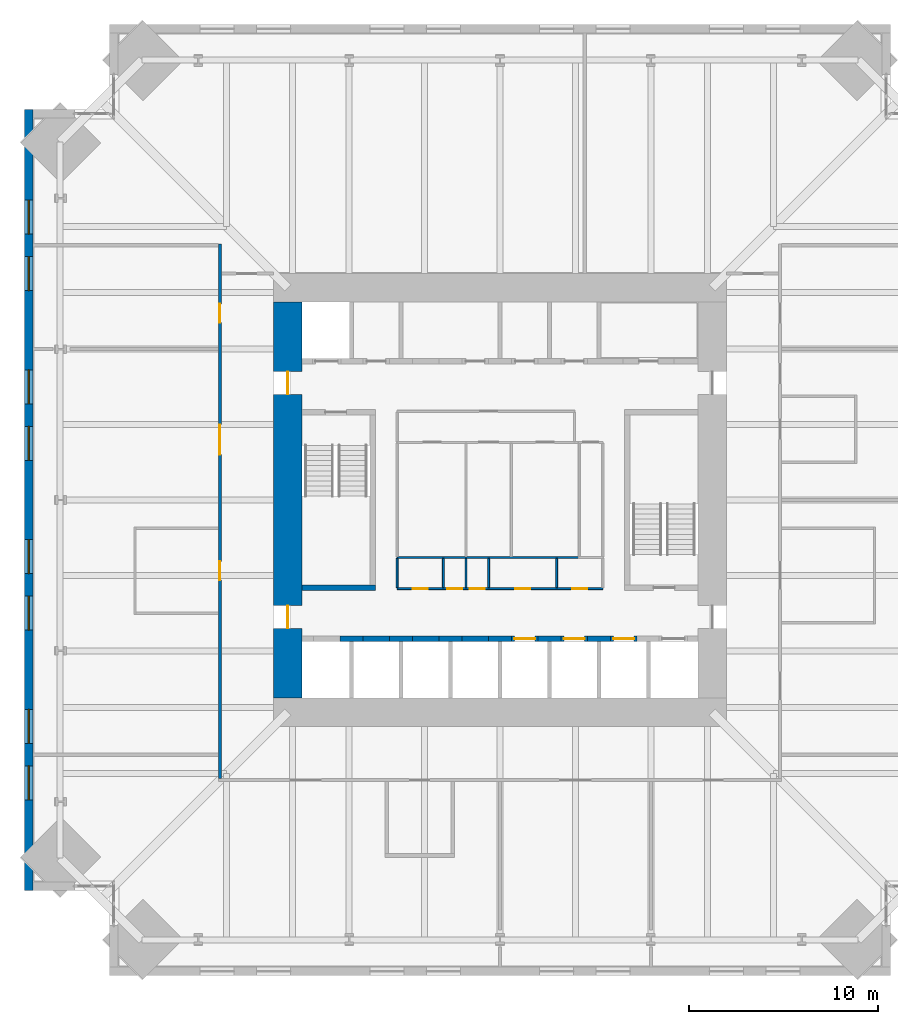
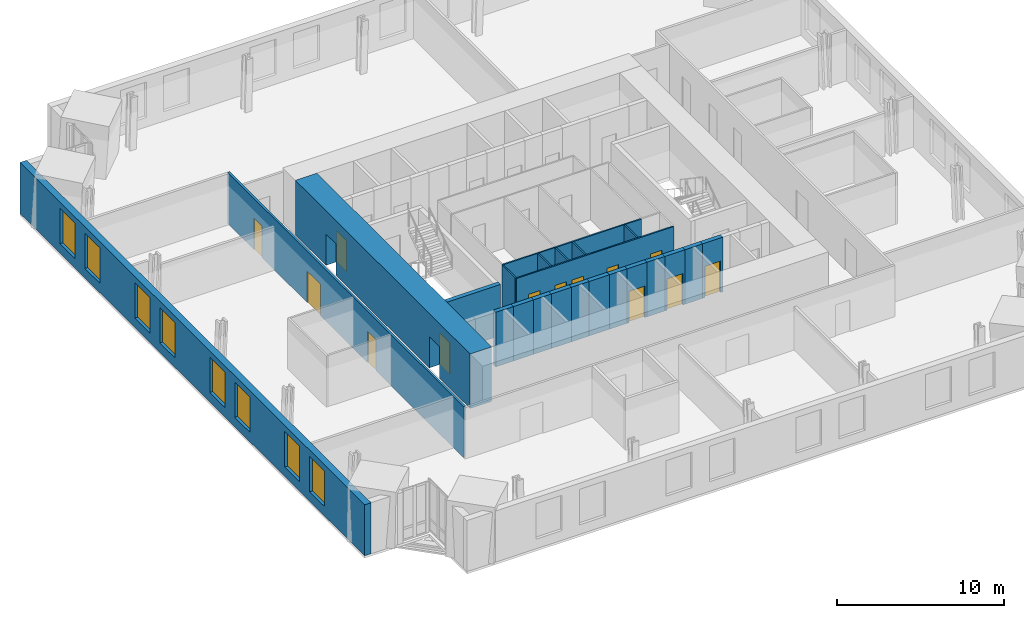
# One storey, part 11 of 15: 23 walls, 13 doors, 8 windows, 21 openings.
"""IFC4 building model written with IfcOpenShell, lengths in metres."""

from ifc_helpers import new_model, si_unit, direction, frame, frame_2d, origin, place, context, subcontext, project, spatial, rectangle, extrude, material, layer, layer_set, type_object, element, fill, save


model = new_model("IFC4")

# Units and contexts
model_context = context("Model", 3, precision=1e-05, world=origin(), true_north=direction((0.0, 1.0)))
body_context = subcontext(model_context, "Body", "Model", "MODEL_VIEW")
ifc_project = project(units=[si_unit("LENGTHUNIT", "METRE"), si_unit("AREAUNIT", "SQUARE_METRE"), si_unit("VOLUMEUNIT", "CUBIC_METRE"), si_unit("PLANEANGLEUNIT", "RADIAN"), si_unit("MASSUNIT", "GRAM", prefix="KILO")], contexts=[model_context])

# Site, building, storey
site_placement = place(None, origin())
site = spatial("IfcSite", under=ifc_project, at=site_placement, CompositionType="ELEMENT")
building_placement = place(site_placement, origin())
building = spatial("IfcBuilding", under=site, at=building_placement, Name="Peilmerk Tower", CompositionType="ELEMENT")
storey_placement = place(building_placement, frame((0.0, 0.0, 187.800048828125)))
storey = spatial("IfcBuildingStorey", under=building, at=storey_placement, Name="L40", CompositionType="ELEMENT", Elevation=187.800048828125)

# Wall, openings, windows
ifc_material_1 = material(Name="Precast concrete C45/55, board-marked finish", Category="concrete")
ifc_layer_1 = layer(ifc_material_1, 0.449951171875)
ifc_layer_set_1 = layer_set([ifc_layer_1], Name="Precast concrete C45/55, board-marked finish")
wall_type_1 = type_object("IfcWallType", Name="EW1 450 precast concrete facade wall, board-marked", PredefinedType="SOLIDWALL", material=ifc_layer_set_1)
wall_1_placement = place(storey_placement, frame((-24.97509765625, 20.699951171875, 0.0), z_axis=(0.0, 0.0, 1.0), x_axis=(0.0, -1.0, 0.0)))
wall_1 = element("IfcWall", 1, at=wall_1_placement, inside=storey, type_object=wall_type_1, Name="Facade wall W L40", PredefinedType="SOLIDWALL", context=body_context, shape_type="SweptSolid", body=[
    extrude(rectangle(XDim=41.39990234375, YDim=0.449951171875, at=frame_2d((20.699951171875, 0.0))), origin(), (0.0, 0.0, 1.0), 3.75),
])
opening_1_placement = place(wall_1_placement, frame((4.800048828125, 0.0, 0.699951171875)))
opening_1 = element("IfcOpeningElement", 2, at=opening_1_placement, cuts=wall_1, Name="Opening W1", PredefinedType="OPENING", context=body_context, shape_type="SweptSolid", body=[
    extrude(rectangle(XDim=1.800048828125, YDim=2.60009765625, at=frame_2d((0.89990234375, 1.300048828125))), frame((0.0, 0.23486328125, 0.0), z_axis=(0.0, -1.0, 0.0), x_axis=(1.0, 0.0, 0.0)), (0.0, 0.0, 1.0), 0.469970703125),
])
opening_2_placement = place(wall_1_placement, frame((7.800048828125, 0.0, 0.699951171875)))
opening_2 = element("IfcOpeningElement", 3, at=opening_2_placement, cuts=wall_1, Name="Opening W1", PredefinedType="OPENING", context=body_context, shape_type="SweptSolid", body=[
    extrude(rectangle(XDim=1.800048828125, YDim=2.60009765625, at=frame_2d((0.89990234375, 1.300048828125))), frame((0.0, 0.23486328125, 0.0), z_axis=(0.0, -1.0, 0.0), x_axis=(1.0, 0.0, 0.0)), (0.0, 0.0, 1.0), 0.469970703125),
])
opening_3_placement = place(wall_1_placement, frame((13.800048828125, 0.0, 0.699951171875)))
opening_3 = element("IfcOpeningElement", 4, at=opening_3_placement, cuts=wall_1, Name="Opening W1", PredefinedType="OPENING", context=body_context, shape_type="SweptSolid", body=[
    extrude(rectangle(XDim=1.800048828125, YDim=2.60009765625, at=frame_2d((0.89990234375, 1.300048828125))), frame((0.0, 0.23486328125, 0.0), z_axis=(0.0, -1.0, 0.0), x_axis=(1.0, 0.0, 0.0)), (0.0, 0.0, 1.0), 0.469970703125),
])
opening_4_placement = place(wall_1_placement, frame((16.800048828125, 0.0, 0.699951171875)))
opening_4 = element("IfcOpeningElement", 5, at=opening_4_placement, cuts=wall_1, Name="Opening W1", PredefinedType="OPENING", context=body_context, shape_type="SweptSolid", body=[
    extrude(rectangle(XDim=1.800048828125, YDim=2.60009765625, at=frame_2d((0.89990234375, 1.300048828125))), frame((0.0, 0.23486328125, 0.0), z_axis=(0.0, -1.0, 0.0), x_axis=(1.0, 0.0, 0.0)), (0.0, 0.0, 1.0), 0.469970703125),
])
opening_5_placement = place(wall_1_placement, frame((22.800048828125, 0.0, 0.699951171875)))
opening_5 = element("IfcOpeningElement", 6, at=opening_5_placement, cuts=wall_1, Name="Opening W1", PredefinedType="OPENING", context=body_context, shape_type="SweptSolid", body=[
    extrude(rectangle(XDim=1.800048828125, YDim=2.60009765625, at=frame_2d((0.89990234375, 1.300048828125))), frame((0.0, 0.23486328125, 0.0), z_axis=(0.0, -1.0, 0.0), x_axis=(1.0, 0.0, 0.0)), (0.0, 0.0, 1.0), 0.469970703125),
])
opening_6_placement = place(wall_1_placement, frame((25.800048828125, 0.0, 0.699951171875)))
opening_6 = element("IfcOpeningElement", 7, at=opening_6_placement, cuts=wall_1, Name="Opening W1", PredefinedType="OPENING", context=body_context, shape_type="SweptSolid", body=[
    extrude(rectangle(XDim=1.800048828125, YDim=2.60009765625, at=frame_2d((0.89990234375, 1.300048828125))), frame((0.0, 0.23486328125, 0.0), z_axis=(0.0, -1.0, 0.0), x_axis=(1.0, 0.0, 0.0)), (0.0, 0.0, 1.0), 0.469970703125),
])
opening_7_placement = place(wall_1_placement, frame((31.800048828125, 0.0, 0.699951171875)))
opening_7 = element("IfcOpeningElement", 8, at=opening_7_placement, cuts=wall_1, Name="Opening W1", PredefinedType="OPENING", context=body_context, shape_type="SweptSolid", body=[
    extrude(rectangle(XDim=1.800048828125, YDim=2.60009765625, at=frame_2d((0.89990234375, 1.300048828125))), frame((0.0, 0.23486328125, 0.0), z_axis=(0.0, -1.0, 0.0), x_axis=(1.0, 0.0, 0.0)), (0.0, 0.0, 1.0), 0.469970703125),
])
opening_8_placement = place(wall_1_placement, frame((34.800048828125, 0.0, 0.699951171875)))
opening_8 = element("IfcOpeningElement", 9, at=opening_8_placement, cuts=wall_1, Name="Opening W1", PredefinedType="OPENING", context=body_context, shape_type="SweptSolid", body=[
    extrude(rectangle(XDim=1.800048828125, YDim=2.60009765625, at=frame_2d((0.89990234375, 1.300048828125))), frame((0.0, 0.23486328125, 0.0), z_axis=(0.0, -1.0, 0.0), x_axis=(1.0, 0.0, 0.0)), (0.0, 0.0, 1.0), 0.469970703125),
])
ifc_material_2 = material(Name="Aluminium frame, clear double glazing", Category="aluminium")
window_type = type_object("IfcWindowType", Name="W1 1800x2600 office window", PartitioningType="SINGLE_PANEL", PredefinedType="WINDOW", material=ifc_material_2)
window_1_placement = place(opening_1_placement, origin())
window_1 = element("IfcWindow", 10, at=window_1_placement, inside=storey, type_object=window_type, Name="Window W1 L40", OverallHeight=2.60009765625, OverallWidth=1.800048828125, PartitioningType="SINGLE_PANEL", PredefinedType="WINDOW", context=body_context, shape_type="SweptSolid", body=[
    extrude(rectangle(XDim=1.800048828125, YDim=2.60009765625, at=frame_2d((0.89990234375, 1.300048828125))), frame((0.0, 0.030029296875, 0.0), z_axis=(0.0, -1.0, 0.0), x_axis=(1.0, 0.0, 0.0)), (0.0, 0.0, 1.0), 0.06005859375),
])
fill(opening_1, window_1)
window_2_placement = place(opening_2_placement, origin())
window_2 = element("IfcWindow", 11, at=window_2_placement, inside=storey, type_object=window_type, Name="Window W1 L40", OverallHeight=2.60009765625, OverallWidth=1.800048828125, PartitioningType="SINGLE_PANEL", PredefinedType="WINDOW", context=body_context, shape_type="SweptSolid", body=[
    extrude(rectangle(XDim=1.800048828125, YDim=2.60009765625, at=frame_2d((0.89990234375, 1.300048828125))), frame((0.0, 0.030029296875, 0.0), z_axis=(0.0, -1.0, 0.0), x_axis=(1.0, 0.0, 0.0)), (0.0, 0.0, 1.0), 0.06005859375),
])
fill(opening_2, window_2)
window_3_placement = place(opening_3_placement, origin())
window_3 = element("IfcWindow", 12, at=window_3_placement, inside=storey, type_object=window_type, Name="Window W1 L40", OverallHeight=2.60009765625, OverallWidth=1.800048828125, PartitioningType="SINGLE_PANEL", PredefinedType="WINDOW", context=body_context, shape_type="SweptSolid", body=[
    extrude(rectangle(XDim=1.800048828125, YDim=2.60009765625, at=frame_2d((0.89990234375, 1.300048828125))), frame((0.0, 0.030029296875, 0.0), z_axis=(0.0, -1.0, 0.0), x_axis=(1.0, 0.0, 0.0)), (0.0, 0.0, 1.0), 0.06005859375),
])
fill(opening_3, window_3)
window_4_placement = place(opening_4_placement, origin())
window_4 = element("IfcWindow", 13, at=window_4_placement, inside=storey, type_object=window_type, Name="Window W1 L40", OverallHeight=2.60009765625, OverallWidth=1.800048828125, PartitioningType="SINGLE_PANEL", PredefinedType="WINDOW", context=body_context, shape_type="SweptSolid", body=[
    extrude(rectangle(XDim=1.800048828125, YDim=2.60009765625, at=frame_2d((0.89990234375, 1.300048828125))), frame((0.0, 0.030029296875, 0.0), z_axis=(0.0, -1.0, 0.0), x_axis=(1.0, 0.0, 0.0)), (0.0, 0.0, 1.0), 0.06005859375),
])
fill(opening_4, window_4)
window_5_placement = place(opening_5_placement, origin())
window_5 = element("IfcWindow", 14, at=window_5_placement, inside=storey, type_object=window_type, Name="Window W1 L40", OverallHeight=2.60009765625, OverallWidth=1.800048828125, PartitioningType="SINGLE_PANEL", PredefinedType="WINDOW", context=body_context, shape_type="SweptSolid", body=[
    extrude(rectangle(XDim=1.800048828125, YDim=2.60009765625, at=frame_2d((0.89990234375, 1.300048828125))), frame((0.0, 0.030029296875, 0.0), z_axis=(0.0, -1.0, 0.0), x_axis=(1.0, 0.0, 0.0)), (0.0, 0.0, 1.0), 0.06005859375),
])
fill(opening_5, window_5)
window_6_placement = place(opening_6_placement, origin())
window_6 = element("IfcWindow", 15, at=window_6_placement, inside=storey, type_object=window_type, Name="Window W1 L40", OverallHeight=2.60009765625, OverallWidth=1.800048828125, PartitioningType="SINGLE_PANEL", PredefinedType="WINDOW", context=body_context, shape_type="SweptSolid", body=[
    extrude(rectangle(XDim=1.800048828125, YDim=2.60009765625, at=frame_2d((0.89990234375, 1.300048828125))), frame((0.0, 0.030029296875, 0.0), z_axis=(0.0, -1.0, 0.0), x_axis=(1.0, 0.0, 0.0)), (0.0, 0.0, 1.0), 0.06005859375),
])
fill(opening_6, window_6)
window_7_placement = place(opening_7_placement, origin())
window_7 = element("IfcWindow", 16, at=window_7_placement, inside=storey, type_object=window_type, Name="Window W1 L40", OverallHeight=2.60009765625, OverallWidth=1.800048828125, PartitioningType="SINGLE_PANEL", PredefinedType="WINDOW", context=body_context, shape_type="SweptSolid", body=[
    extrude(rectangle(XDim=1.800048828125, YDim=2.60009765625, at=frame_2d((0.89990234375, 1.300048828125))), frame((0.0, 0.030029296875, 0.0), z_axis=(0.0, -1.0, 0.0), x_axis=(1.0, 0.0, 0.0)), (0.0, 0.0, 1.0), 0.06005859375),
])
fill(opening_7, window_7)
window_8_placement = place(opening_8_placement, origin())
window_8 = element("IfcWindow", 17, at=window_8_placement, inside=storey, type_object=window_type, Name="Window W1 L40", OverallHeight=2.60009765625, OverallWidth=1.800048828125, PartitioningType="SINGLE_PANEL", PredefinedType="WINDOW", context=body_context, shape_type="SweptSolid", body=[
    extrude(rectangle(XDim=1.800048828125, YDim=2.60009765625, at=frame_2d((0.89990234375, 1.300048828125))), frame((0.0, 0.030029296875, 0.0), z_axis=(0.0, -1.0, 0.0), x_axis=(1.0, 0.0, 0.0)), (0.0, 0.0, 1.0), 0.06005859375),
])
fill(opening_8, window_8)

# Wall, openings, doors
ifc_material_3 = material(Name="Calcium silicate block", Category="masonry")
ifc_layer_2 = layer(ifc_material_3, 0.14990234375)
ifc_layer_set_2 = layer_set([ifc_layer_2], Name="Calcium silicate block")
wall_type_2 = type_object("IfcWallType", Name="IW1 150 corridor partition, EI 60", PredefinedType="PARTITIONING", material=ifc_layer_set_2)
wall_2_placement = place(storey_placement, frame((-14.85009765625, 13.574951171875, 0.0), z_axis=(0.0, 0.0, 1.0), x_axis=(0.0, -1.0, 0.0)))
wall_2 = element("IfcWall", 18, at=wall_2_placement, inside=storey, type_object=wall_type_2, Name="Corridor wall W L40", PredefinedType="PARTITIONING", context=body_context, shape_type="SweptSolid", body=[
    extrude(rectangle(XDim=28.349853515625, YDim=0.14990234375, at=frame_2d((14.1748046875, 0.0))), origin(), (0.0, 0.0, 1.0), 3.75),
])
opening_9_placement = place(wall_2_placement, frame((9.574951171875, 0.0, 0.0)))
opening_9 = element("IfcOpeningElement", 19, at=opening_9_placement, cuts=wall_2, Name="Opening D9", PredefinedType="OPENING", context=body_context, shape_type="SweptSolid", body=[
    extrude(rectangle(XDim=1.60009765625, YDim=2.300048828125, at=frame_2d((0.800048828125, 1.14990234375))), frame((0.0, 0.0849609375, 0.0), z_axis=(0.0, -1.0, 0.0), x_axis=(1.0, 0.0, 0.0)), (0.0, 0.0, 1.0), 0.169921875),
])
opening_10_placement = place(wall_2_placement, frame((3.175048828125, 0.0, 0.0)))
opening_10 = element("IfcOpeningElement", 20, at=opening_10_placement, cuts=wall_2, Name="Opening D1", PredefinedType="OPENING", context=body_context, shape_type="SweptSolid", body=[
    extrude(rectangle(XDim=1.0, YDim=2.300048828125, at=frame_2d((0.5, 1.14990234375))), frame((0.0, 0.0849609375, 0.0), z_axis=(0.0, -1.0, 0.0), x_axis=(1.0, 0.0, 0.0)), (0.0, 0.0, 1.0), 0.169921875),
])
opening_11_placement = place(wall_2_placement, frame((16.824951171875, 0.0, 0.0)))
opening_11 = element("IfcOpeningElement", 21, at=opening_11_placement, cuts=wall_2, Name="Opening D1", PredefinedType="OPENING", context=body_context, shape_type="SweptSolid", body=[
    extrude(rectangle(XDim=1.0, YDim=2.300048828125, at=frame_2d((0.5, 1.14990234375))), frame((0.0, 0.0849609375, 0.0), z_axis=(0.0, -1.0, 0.0), x_axis=(1.0, 0.0, 0.0)), (0.0, 0.0, 1.0), 0.169921875),
])
ifc_material_4 = material(Name="Timber door in steel frame", Category="steel")
door_type_1 = type_object("IfcDoorType", Name="D1 1000x2300 room door, EI2 30", OperationType="SINGLE_SWING_LEFT", PredefinedType="DOOR", material=ifc_material_4)
door_1_placement = place(opening_10_placement, frame((1.0, 0.0, 0.0), z_axis=(0.0, 0.0, 1.0), x_axis=(-1.0, 0.0, 0.0)))
door_1 = element("IfcDoor", 22, at=door_1_placement, inside=storey, type_object=door_type_1, Name="Door Project room L40", OperationType="SINGLE_SWING_LEFT", OverallHeight=2.300048828125, OverallWidth=1.0, PredefinedType="DOOR", context=body_context, shape_type="SweptSolid", body=[
    extrude(rectangle(XDim=1.0, YDim=2.300048828125, at=frame_2d((0.5, 1.14990234375))), frame((0.0, 0.02490234375, 0.0), z_axis=(0.0, -1.0, 0.0), x_axis=(1.0, 0.0, 0.0)), (0.0, 0.0, 1.0), 0.050048828125),
])
fill(opening_10, door_1)
door_2_placement = place(opening_11_placement, frame((1.0, 0.0, 0.0), z_axis=(0.0, 0.0, 1.0), x_axis=(-1.0, 0.0, 0.0)))
door_2 = element("IfcDoor", 23, at=door_2_placement, inside=storey, type_object=door_type_1, Name="Door Meeting room L40", OperationType="SINGLE_SWING_LEFT", OverallHeight=2.300048828125, OverallWidth=1.0, PredefinedType="DOOR", context=body_context, shape_type="SweptSolid", body=[
    extrude(rectangle(XDim=1.0, YDim=2.300048828125, at=frame_2d((0.5, 1.14990234375))), frame((0.0, 0.02490234375, 0.0), z_axis=(0.0, -1.0, 0.0), x_axis=(1.0, 0.0, 0.0)), (0.0, 0.0, 1.0), 0.050048828125),
])
fill(opening_11, door_2)
ifc_material_5 = material(Name="Glazed timber door in steel frame", Category="steel")
door_type_2 = type_object("IfcDoorType", Name="D9 1600x2300 glazed double door, EI2 30", OperationType="DOUBLE_DOOR_SINGLE_SWING", PredefinedType="DOOR", material=ifc_material_5)
door_3_placement = place(opening_9_placement, frame((1.60009765625, 0.0, 0.0), z_axis=(0.0, 0.0, 1.0), x_axis=(-1.0, 0.0, 0.0)))
door_3 = element("IfcDoor", 24, at=door_3_placement, inside=storey, type_object=door_type_2, Name="Door Open workspace L40", OperationType="DOUBLE_DOOR_SINGLE_SWING", OverallHeight=2.300048828125, OverallWidth=1.60009765625, PredefinedType="DOOR", context=body_context, shape_type="SweptSolid", body=[
    extrude(rectangle(XDim=1.60009765625, YDim=2.300048828125, at=frame_2d((0.800048828125, 1.14990234375))), frame((0.0, 0.02490234375, 0.0), z_axis=(0.0, -1.0, 0.0), x_axis=(1.0, 0.0, 0.0)), (0.0, 0.0, 1.0), 0.050048828125),
])
fill(opening_9, door_3)

# Walls
ifc_material_6 = material(Name="Concrete C35/45", Category="concrete")
ifc_layer_3 = layer(ifc_material_6, 0.300048828125)
ifc_layer_set_3 = layer_set([ifc_layer_3], Name="Concrete C35/45")
wall_type_3 = type_object("IfcWallType", Name="IW3 300 concrete stair enclosure wall, EI 120", PredefinedType="SOLIDWALL", material=ifc_layer_set_3)
wall_3_placement = place(storey_placement, frame((-6.60009765625, -4.64990234375, 0.0), z_axis=(0.0, 0.0, 1.0), x_axis=(-1.0, 0.0, 0.0)))
element("IfcWall", 25, at=wall_3_placement, inside=storey, type_object=wall_type_3, Name="Stair 1 enclosure L40", PredefinedType="SOLIDWALL", context=body_context, shape_type="SweptSolid", body=[
    extrude(rectangle(XDim=3.89990234375, YDim=0.300048828125, at=frame_2d((1.949951171875, 0.0))), origin(), (0.0, 0.0, 1.0), 3.75),
])
ifc_material_7 = material(Name="Plasterboard on steel studs", Category="steel")
ifc_layer_4 = layer(ifc_material_7, 0.10009765625)
ifc_layer_set_4 = layer_set([ifc_layer_4], Name="Plasterboard on steel studs")
wall_type_4 = type_object("IfcWallType", Name="IW4 100 WC partition", PredefinedType="PARTITIONING", material=ifc_layer_set_4)
wall_4_placement = place(storey_placement, frame((4.14990234375, -3.050048828125, 0.0), z_axis=(0.0, 0.0, 1.0), x_axis=(-1.0, 0.0, 0.0)))
element("IfcWall", 26, at=wall_4_placement, inside=storey, type_object=wall_type_4, Name="WC wall L40", PredefinedType="PARTITIONING", context=body_context, shape_type="SweptSolid", body=[
    extrude(rectangle(XDim=9.599853515625, YDim=0.10009765625, at=frame_2d((4.7998046875, 0.0))), origin(), (0.0, 0.0, 1.0), 3.75),
])

# Wall, openings, doors
ifc_material_8 = material(Name="Calcium silicate board on steel studs", Category="steel")
ifc_layer_5 = layer(ifc_material_8, 0.10009765625)
ifc_layer_set_5 = layer_set([ifc_layer_5], Name="Calcium silicate board on steel studs")
wall_type_5 = type_object("IfcWallType", Name="IW5 100 riser enclosure wall, EI 60", PredefinedType="PARTITIONING", material=ifc_layer_set_5)
wall_5_placement = place(storey_placement, frame((5.449951171875, -4.699951171875, 0.0), z_axis=(0.0, 0.0, 1.0), x_axis=(-1.0, 0.0, 0.0)))
wall_5 = element("IfcWall", 27, at=wall_5_placement, inside=storey, type_object=wall_type_5, Name="Riser wall L40", PredefinedType="PARTITIONING", context=body_context, shape_type="SweptSolid", body=[
    extrude(rectangle(XDim=10.89990234375, YDim=0.10009765625, at=frame_2d((5.449951171875, 0.0))), origin(), (0.0, 0.0, 1.0), 3.75),
])
opening_12_placement = place(wall_5_placement, frame((9.27490234375, 0.0, 0.0)))
opening_12 = element("IfcOpeningElement", 28, at=opening_12_placement, cuts=wall_5, Name="Opening D7", PredefinedType="OPENING", context=body_context, shape_type="SweptSolid", body=[
    extrude(rectangle(XDim=0.800048828125, YDim=2.300048828125, at=frame_2d((0.39990234375, 1.14990234375))), frame((0.0, 0.06005859375, 0.0), z_axis=(0.0, -1.0, 0.0), x_axis=(1.0, 0.0, 0.0)), (0.0, 0.0, 1.0), 0.1201171875),
])
opening_13_placement = place(wall_5_placement, frame((7.449951171875, 0.0, 0.0)))
opening_13 = element("IfcOpeningElement", 29, at=opening_13_placement, cuts=wall_5, Name="Opening D7", PredefinedType="OPENING", context=body_context, shape_type="SweptSolid", body=[
    extrude(rectangle(XDim=0.800048828125, YDim=2.300048828125, at=frame_2d((0.39990234375, 1.14990234375))), frame((0.0, 0.06005859375, 0.0), z_axis=(0.0, -1.0, 0.0), x_axis=(1.0, 0.0, 0.0)), (0.0, 0.0, 1.0), 0.1201171875),
])
opening_14_placement = place(wall_5_placement, frame((6.25, 0.0, 0.0)))
opening_14 = element("IfcOpeningElement", 30, at=opening_14_placement, cuts=wall_5, Name="Opening D7", PredefinedType="OPENING", context=body_context, shape_type="SweptSolid", body=[
    extrude(rectangle(XDim=0.800048828125, YDim=2.300048828125, at=frame_2d((0.39990234375, 1.14990234375))), frame((0.0, 0.06005859375, 0.0), z_axis=(0.0, -1.0, 0.0), x_axis=(1.0, 0.0, 0.0)), (0.0, 0.0, 1.0), 0.1201171875),
])
opening_15_placement = place(wall_5_placement, frame((3.85009765625, 0.0, 0.0)))
opening_15 = element("IfcOpeningElement", 31, at=opening_15_placement, cuts=wall_5, Name="Opening D7", PredefinedType="OPENING", context=body_context, shape_type="SweptSolid", body=[
    extrude(rectangle(XDim=0.800048828125, YDim=2.300048828125, at=frame_2d((0.39990234375, 1.14990234375))), frame((0.0, 0.06005859375, 0.0), z_axis=(0.0, -1.0, 0.0), x_axis=(1.0, 0.0, 0.0)), (0.0, 0.0, 1.0), 0.1201171875),
])
opening_16_placement = place(wall_5_placement, frame((0.824951171875, 0.0, 0.0)))
opening_16 = element("IfcOpeningElement", 32, at=opening_16_placement, cuts=wall_5, Name="Opening D7", PredefinedType="OPENING", context=body_context, shape_type="SweptSolid", body=[
    extrude(rectangle(XDim=0.800048828125, YDim=2.300048828125, at=frame_2d((0.39990234375, 1.14990234375))), frame((0.0, 0.06005859375, 0.0), z_axis=(0.0, -1.0, 0.0), x_axis=(1.0, 0.0, 0.0)), (0.0, 0.0, 1.0), 0.1201171875),
])
ifc_material_9 = material(Name="Steel door in steel frame", Category="steel")
door_type_3 = type_object("IfcDoorType", Name="D7 800x2300 riser access door, EI2 60", OperationType="SINGLE_SWING_RIGHT", PredefinedType="DOOR", material=ifc_material_9)
door_4_placement = place(opening_12_placement, frame((0.800048828125, 0.0, 0.0), z_axis=(0.0, 0.0, 1.0), x_axis=(-1.0, 0.0, 0.0)))
door_4 = element("IfcDoor", 33, at=door_4_placement, inside=storey, type_object=door_type_3, Name="Cleaner's cupboard door L40", OperationType="SINGLE_SWING_RIGHT", OverallHeight=2.300048828125, OverallWidth=0.800048828125, PredefinedType="DOOR", context=body_context, shape_type="SweptSolid", body=[
    extrude(rectangle(XDim=0.800048828125, YDim=2.300048828125, at=frame_2d((0.39990234375, 1.14990234375))), frame((0.0, 0.02490234375, 0.0), z_axis=(0.0, -1.0, 0.0), x_axis=(1.0, 0.0, 0.0)), (0.0, 0.0, 1.0), 0.050048828125),
])
fill(opening_12, door_4)
door_5_placement = place(opening_13_placement, frame((0.800048828125, 0.0, 0.0), z_axis=(0.0, 0.0, 1.0), x_axis=(-1.0, 0.0, 0.0)))
door_5 = element("IfcDoor", 34, at=door_5_placement, inside=storey, type_object=door_type_3, Name="Electrical riser door L40", OperationType="SINGLE_SWING_RIGHT", OverallHeight=2.300048828125, OverallWidth=0.800048828125, PredefinedType="DOOR", context=body_context, shape_type="SweptSolid", body=[
    extrude(rectangle(XDim=0.800048828125, YDim=2.300048828125, at=frame_2d((0.39990234375, 1.14990234375))), frame((0.0, 0.02490234375, 0.0), z_axis=(0.0, -1.0, 0.0), x_axis=(1.0, 0.0, 0.0)), (0.0, 0.0, 1.0), 0.050048828125),
])
fill(opening_13, door_5)
door_6_placement = place(opening_14_placement, frame((0.800048828125, 0.0, 0.0), z_axis=(0.0, 0.0, 1.0), x_axis=(-1.0, 0.0, 0.0)))
door_6 = element("IfcDoor", 35, at=door_6_placement, inside=storey, type_object=door_type_3, Name="Data riser door L40", OperationType="SINGLE_SWING_RIGHT", OverallHeight=2.300048828125, OverallWidth=0.800048828125, PredefinedType="DOOR", context=body_context, shape_type="SweptSolid", body=[
    extrude(rectangle(XDim=0.800048828125, YDim=2.300048828125, at=frame_2d((0.39990234375, 1.14990234375))), frame((0.0, 0.02490234375, 0.0), z_axis=(0.0, -1.0, 0.0), x_axis=(1.0, 0.0, 0.0)), (0.0, 0.0, 1.0), 0.050048828125),
])
fill(opening_14, door_6)
door_7_placement = place(opening_15_placement, frame((0.800048828125, 0.0, 0.0), z_axis=(0.0, 0.0, 1.0), x_axis=(-1.0, 0.0, 0.0)))
door_7 = element("IfcDoor", 36, at=door_7_placement, inside=storey, type_object=door_type_3, Name="Comms room door L40", OperationType="SINGLE_SWING_RIGHT", OverallHeight=2.300048828125, OverallWidth=0.800048828125, PredefinedType="DOOR", context=body_context, shape_type="SweptSolid", body=[
    extrude(rectangle(XDim=0.800048828125, YDim=2.300048828125, at=frame_2d((0.39990234375, 1.14990234375))), frame((0.0, 0.02490234375, 0.0), z_axis=(0.0, -1.0, 0.0), x_axis=(1.0, 0.0, 0.0)), (0.0, 0.0, 1.0), 0.050048828125),
])
fill(opening_15, door_7)
door_8_placement = place(opening_16_placement, frame((0.800048828125, 0.0, 0.0), z_axis=(0.0, 0.0, 1.0), x_axis=(-1.0, 0.0, 0.0)))
door_8 = element("IfcDoor", 37, at=door_8_placement, inside=storey, type_object=door_type_3, Name="Water meter room door L40", OperationType="SINGLE_SWING_RIGHT", OverallHeight=2.300048828125, OverallWidth=0.800048828125, PredefinedType="DOOR", context=body_context, shape_type="SweptSolid", body=[
    extrude(rectangle(XDim=0.800048828125, YDim=2.300048828125, at=frame_2d((0.39990234375, 1.14990234375))), frame((0.0, 0.02490234375, 0.0), z_axis=(0.0, -1.0, 0.0), x_axis=(1.0, 0.0, 0.0)), (0.0, 0.0, 1.0), 0.050048828125),
])
fill(opening_16, door_8)

# Walls
for number, where, z_axis, x_axis, name in (
    (38, (-5.449951171875, -3.10009765625, 0.0), (0.0, 0.0, 1.0), (0.0, -1.0, 0.0), "Riser wall L40"),
    (39, (-3.0, -3.10009765625, 0.0), (0.0, 0.0, 1.0), (0.0, -1.0, 0.0), "Riser wall L40"),
    (40, (-1.800048828125, -3.10009765625, 0.0), (0.0, 0.0, 1.0), (0.0, -1.0, 0.0), "Riser wall L40"),
    (41, (-0.60009765625, -3.10009765625, 0.0), (0.0, 0.0, 1.0), (0.0, -1.0, 0.0), "Riser wall L40"),
    (42, (3.0, -3.10009765625, 0.0), (0.0, 0.0, 1.0), (0.0, -1.0, 0.0), "Riser wall L40"),
):
    element("IfcWall", number, at=place(storey_placement, frame(where, z_axis=z_axis, x_axis=x_axis)), inside=storey, type_object=wall_type_5, Name=name, PredefinedType="PARTITIONING", context=body_context, shape_type="SweptSolid", body=[
        extrude(rectangle(XDim=1.5498046875, YDim=0.10009765625, at=frame_2d((0.77490234375, 0.0))), origin(), (0.0, 0.0, 1.0), 3.75),
    ])
ifc_layer_6 = layer(ifc_material_3, 0.300048828125)
ifc_layer_set_6 = layer_set([ifc_layer_6], Name="Calcium silicate block")
wall_type_6 = type_object("IfcWallType", Name="SH2 300 lift landing door panel, EI 120", PredefinedType="PARTITIONING", material=ifc_layer_set_6)
for number, where, z_axis, x_axis, name in (
    (43, (-7.262451171875, -7.35009765625, 0.0), (0.0, 0.0, 1.0), (1.0, 0.0, 0.0), "Lift door panel S C3 L40"),
    (44, (-4.637451171875, -7.35009765625, 0.0), (0.0, 0.0, 1.0), (1.0, 0.0, 0.0), "Lift door panel S C2 L40"),
    (45, (-2.012451171875, -7.35009765625, 0.0), (0.0, 0.0, 1.0), (1.0, 0.0, 0.0), "Lift door panel S C1 L40"),
):
    element("IfcWall", number, at=place(storey_placement, frame(where, z_axis=z_axis, x_axis=x_axis)), inside=storey, type_object=wall_type_6, Name=name, PredefinedType="PARTITIONING", context=body_context, shape_type="SweptSolid", body=[
        extrude(rectangle(XDim=1.39990234375, YDim=0.300048828125, at=frame_2d((0.699951171875, 0.0))), origin(), (0.0, 0.0, 1.0), 4.0),
    ])

# Wall, opening, door
wall_6_placement = place(storey_placement, frame((0.612548828125, -7.35009765625, 0.0), z_axis=(0.0, 0.0, 1.0), x_axis=(1.0, 0.0, 0.0)))
wall_6 = element("IfcWall", 46, at=wall_6_placement, inside=storey, type_object=wall_type_6, Name="Lift door panel S B3 L40", PredefinedType="PARTITIONING", context=body_context, shape_type="SweptSolid", body=[
    extrude(rectangle(XDim=1.39990234375, YDim=0.300048828125, at=frame_2d((0.699951171875, 0.0))), origin(), (0.0, 0.0, 1.0), 4.0),
])
opening_17_placement = place(wall_6_placement, frame((0.14990234375, 0.0, 0.0)))
opening_17 = element("IfcOpeningElement", 47, at=opening_17_placement, cuts=wall_6, Name="Opening LD1", PredefinedType="OPENING", context=body_context, shape_type="SweptSolid", body=[
    extrude(rectangle(XDim=1.10009765625, YDim=2.300048828125, at=frame_2d((0.550048828125, 1.14990234375))), frame((0.0, 0.159912109375, 0.0), z_axis=(0.0, -1.0, 0.0), x_axis=(1.0, 0.0, 0.0)), (0.0, 0.0, 1.0), 0.320068359375),
])
ifc_material_10 = material(Name="Stainless steel landing door", Category="steel")
door_type_4 = type_object("IfcDoorType", Name="LD1 1100x2300 lift landing door, sliding, EI2 60", OperationType="SLIDING_TO_LEFT", PredefinedType="DOOR", material=ifc_material_10)
door_9_placement = place(opening_17_placement, origin())
door_9 = element("IfcDoor", 48, at=door_9_placement, inside=storey, type_object=door_type_4, Name="Lift landing door B3 L40", OperationType="SLIDING_TO_LEFT", OverallHeight=2.300048828125, OverallWidth=1.10009765625, PredefinedType="DOOR", context=body_context, shape_type="SweptSolid", body=[
    extrude(rectangle(XDim=1.10009765625, YDim=2.300048828125, at=frame_2d((0.550048828125, 1.14990234375))), frame((0.0, 0.02490234375, 0.0), z_axis=(0.0, -1.0, 0.0), x_axis=(1.0, 0.0, 0.0)), (0.0, 0.0, 1.0), 0.050048828125),
])
fill(opening_17, door_9)

wall_7_placement = place(storey_placement, frame((3.237548828125, -7.35009765625, 0.0), z_axis=(0.0, 0.0, 1.0), x_axis=(1.0, 0.0, 0.0)))
wall_7 = element("IfcWall", 49, at=wall_7_placement, inside=storey, type_object=wall_type_6, Name="Lift door panel S B2 L40", PredefinedType="PARTITIONING", context=body_context, shape_type="SweptSolid", body=[
    extrude(rectangle(XDim=1.39990234375, YDim=0.300048828125, at=frame_2d((0.699951171875, 0.0))), origin(), (0.0, 0.0, 1.0), 4.0),
])
opening_18_placement = place(wall_7_placement, frame((0.14990234375, 0.0, 0.0)))
opening_18 = element("IfcOpeningElement", 50, at=opening_18_placement, cuts=wall_7, Name="Opening LD1", PredefinedType="OPENING", context=body_context, shape_type="SweptSolid", body=[
    extrude(rectangle(XDim=1.10009765625, YDim=2.300048828125, at=frame_2d((0.550048828125, 1.14990234375))), frame((0.0, 0.159912109375, 0.0), z_axis=(0.0, -1.0, 0.0), x_axis=(1.0, 0.0, 0.0)), (0.0, 0.0, 1.0), 0.320068359375),
])
door_10_placement = place(opening_18_placement, origin())
door_10 = element("IfcDoor", 51, at=door_10_placement, inside=storey, type_object=door_type_4, Name="Lift landing door B2 L40", OperationType="SLIDING_TO_LEFT", OverallHeight=2.300048828125, OverallWidth=1.10009765625, PredefinedType="DOOR", context=body_context, shape_type="SweptSolid", body=[
    extrude(rectangle(XDim=1.10009765625, YDim=2.300048828125, at=frame_2d((0.550048828125, 1.14990234375))), frame((0.0, 0.02490234375, 0.0), z_axis=(0.0, -1.0, 0.0), x_axis=(1.0, 0.0, 0.0)), (0.0, 0.0, 1.0), 0.050048828125),
])
fill(opening_18, door_10)

wall_8_placement = place(storey_placement, frame((5.862548828125, -7.35009765625, 0.0), z_axis=(0.0, 0.0, 1.0), x_axis=(1.0, 0.0, 0.0)))
wall_8 = element("IfcWall", 52, at=wall_8_placement, inside=storey, type_object=wall_type_6, Name="Lift door panel S B1 L40", PredefinedType="PARTITIONING", context=body_context, shape_type="SweptSolid", body=[
    extrude(rectangle(XDim=1.39990234375, YDim=0.300048828125, at=frame_2d((0.699951171875, 0.0))), origin(), (0.0, 0.0, 1.0), 4.0),
])
opening_19_placement = place(wall_8_placement, frame((0.14990234375, 0.0, 0.0)))
opening_19 = element("IfcOpeningElement", 53, at=opening_19_placement, cuts=wall_8, Name="Opening LD1", PredefinedType="OPENING", context=body_context, shape_type="SweptSolid", body=[
    extrude(rectangle(XDim=1.10009765625, YDim=2.300048828125, at=frame_2d((0.550048828125, 1.14990234375))), frame((0.0, 0.159912109375, 0.0), z_axis=(0.0, -1.0, 0.0), x_axis=(1.0, 0.0, 0.0)), (0.0, 0.0, 1.0), 0.320068359375),
])
door_11_placement = place(opening_19_placement, origin())
door_11 = element("IfcDoor", 54, at=door_11_placement, inside=storey, type_object=door_type_4, Name="Lift landing door B1 L40", OperationType="SLIDING_TO_LEFT", OverallHeight=2.300048828125, OverallWidth=1.10009765625, PredefinedType="DOOR", context=body_context, shape_type="SweptSolid", body=[
    extrude(rectangle(XDim=1.10009765625, YDim=2.300048828125, at=frame_2d((0.550048828125, 1.14990234375))), frame((0.0, 0.02490234375, 0.0), z_axis=(0.0, -1.0, 0.0), x_axis=(1.0, 0.0, 0.0)), (0.0, 0.0, 1.0), 0.050048828125),
])
fill(opening_19, door_11)

# Wall, openings, doors
ifc_material_11 = material(Name="Concrete C55/67", Category="concrete")
ifc_layer_7 = layer(ifc_material_11, 1.5)
ifc_layer_set_7 = layer_set([ifc_layer_7], Name="Concrete C55/67")
wall_type_7 = type_object("IfcWallType", Name="SW1 1500 core wall", PredefinedType="SHEAR", material=ifc_layer_set_7)
wall_9_placement = place(storey_placement, frame((-11.25, -10.5, 0.0), z_axis=(0.0, 0.0, 1.0), x_axis=(0.0, 1.0, 0.0)))
wall_9 = element("IfcWall", 55, at=wall_9_placement, inside=storey, type_object=wall_type_7, Name="Core wall W L40", PredefinedType="SHEAR", context=body_context, shape_type="SweptSolid", body=[
    extrude(rectangle(XDim=21.0, YDim=1.5, at=frame_2d((10.5, 0.0))), origin(), (0.0, 0.0, 1.0), 4.0),
])
opening_20_placement = place(wall_9_placement, frame((16.10009765625, 0.0, 0.0)))
opening_20 = element("IfcOpeningElement", 56, at=opening_20_placement, cuts=wall_9, Name="Opening D3", PredefinedType="OPENING", context=body_context, shape_type="SweptSolid", body=[
    extrude(rectangle(XDim=1.199951171875, YDim=2.300048828125, at=frame_2d((0.60009765625, 1.14990234375))), frame((0.0, 0.760009765625, 0.0), z_axis=(0.0, -1.0, 0.0), x_axis=(1.0, 0.0, 0.0)), (0.0, 0.0, 1.0), 1.52001953125),
])
opening_21_placement = place(wall_9_placement, frame((3.699951171875, 0.0, 0.0)))
opening_21 = element("IfcOpeningElement", 57, at=opening_21_placement, cuts=wall_9, Name="Opening D3", PredefinedType="OPENING", context=body_context, shape_type="SweptSolid", body=[
    extrude(rectangle(XDim=1.199951171875, YDim=2.300048828125, at=frame_2d((0.60009765625, 1.14990234375))), frame((0.0, 0.760009765625, 0.0), z_axis=(0.0, -1.0, 0.0), x_axis=(1.0, 0.0, 0.0)), (0.0, 0.0, 1.0), 1.52001953125),
])
door_type_5 = type_object("IfcDoorType", Name="D3 1200x2300 core door, EI2 60", OperationType="SINGLE_SWING_LEFT", PredefinedType="DOOR", material=ifc_material_9)
door_12_placement = place(opening_20_placement, frame((1.199951171875, 0.0, 0.0), z_axis=(0.0, 0.0, 1.0), x_axis=(-1.0, 0.0, 0.0)))
door_12 = element("IfcDoor", 58, at=door_12_placement, inside=storey, type_object=door_type_5, Name="Core door L40", OperationType="SINGLE_SWING_LEFT", OverallHeight=2.300048828125, OverallWidth=1.199951171875, PredefinedType="DOOR", context=body_context, shape_type="SweptSolid", body=[
    extrude(rectangle(XDim=1.199951171875, YDim=2.300048828125, at=frame_2d((0.60009765625, 1.14990234375))), frame((0.0, 0.02490234375, 0.0), z_axis=(0.0, -1.0, 0.0), x_axis=(1.0, 0.0, 0.0)), (0.0, 0.0, 1.0), 0.050048828125),
])
fill(opening_20, door_12)
door_13_placement = place(opening_21_placement, frame((1.199951171875, 0.0, 0.0), z_axis=(0.0, 0.0, 1.0), x_axis=(-1.0, 0.0, 0.0)))
door_13 = element("IfcDoor", 59, at=door_13_placement, inside=storey, type_object=door_type_5, Name="Core door L40", OperationType="SINGLE_SWING_LEFT", OverallHeight=2.300048828125, OverallWidth=1.199951171875, PredefinedType="DOOR", context=body_context, shape_type="SweptSolid", body=[
    extrude(rectangle(XDim=1.199951171875, YDim=2.300048828125, at=frame_2d((0.60009765625, 1.14990234375))), frame((0.0, 0.02490234375, 0.0), z_axis=(0.0, -1.0, 0.0), x_axis=(1.0, 0.0, 0.0)), (0.0, 0.0, 1.0), 0.050048828125),
])
fill(opening_21, door_13)

# Walls
ifc_layer_8 = layer(ifc_material_11, 0.300048828125)
ifc_layer_set_8 = layer_set([ifc_layer_8], Name="Concrete C55/67")
wall_type_8 = type_object("IfcWallType", Name="SW2 300 lift bank pier", PredefinedType="SHEAR", material=ifc_layer_set_8)
for number, where, z_axis, x_axis, name in (
    (60, (-8.487548828125, -7.35009765625, 0.0), (0.0, 0.0, 1.0), (1.0, 0.0, 0.0), "Lift bank pier S L40"),
    (61, (-5.862548828125, -7.35009765625, 0.0), (0.0, 0.0, 1.0), (1.0, 0.0, 0.0), "Lift bank pier S L40"),
    (62, (-3.237548828125, -7.35009765625, 0.0), (0.0, 0.0, 1.0), (1.0, 0.0, 0.0), "Lift bank pier S L40"),
    (63, (-0.612548828125, -7.35009765625, 0.0), (0.0, 0.0, 1.0), (1.0, 0.0, 0.0), "Lift bank pier S L40"),
    (64, (2.012451171875, -7.35009765625, 0.0), (0.0, 0.0, 1.0), (1.0, 0.0, 0.0), "Lift bank pier S L40"),
    (65, (4.637451171875, -7.35009765625, 0.0), (0.0, 0.0, 1.0), (1.0, 0.0, 0.0), "Lift bank pier S L40"),
):
    element("IfcWall", number, at=place(storey_placement, frame(where, z_axis=z_axis, x_axis=x_axis)), inside=storey, type_object=wall_type_8, Name=name, PredefinedType="SHEAR", context=body_context, shape_type="SweptSolid", body=[
        extrude(rectangle(XDim=1.22509765625, YDim=0.300048828125, at=frame_2d((0.612548828125, 0.0))), origin(), (0.0, 0.0, 1.0), 4.0),
    ])

save(model, "model.ifc")
